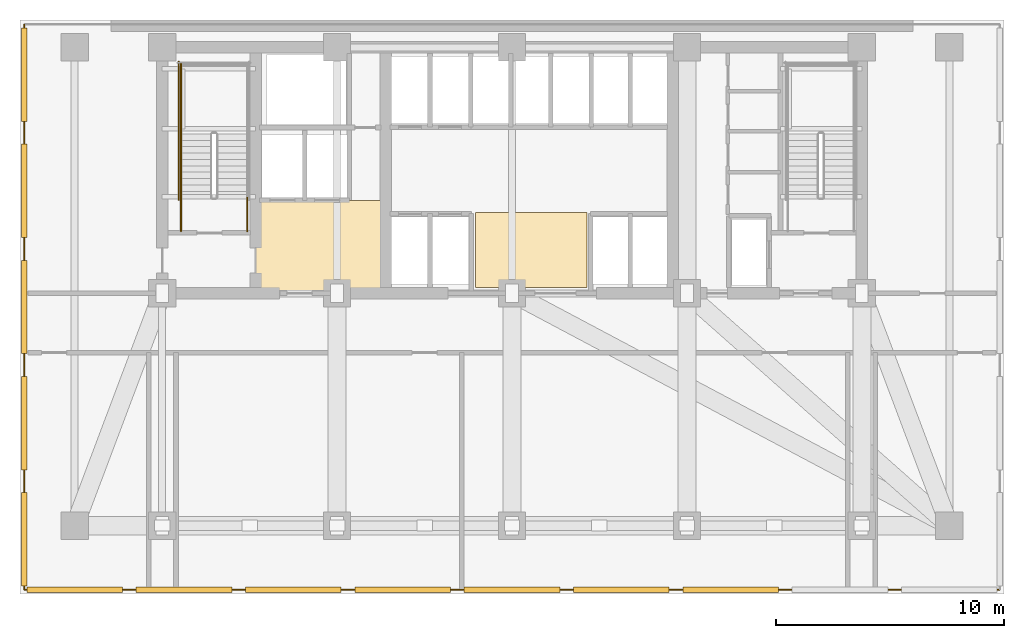
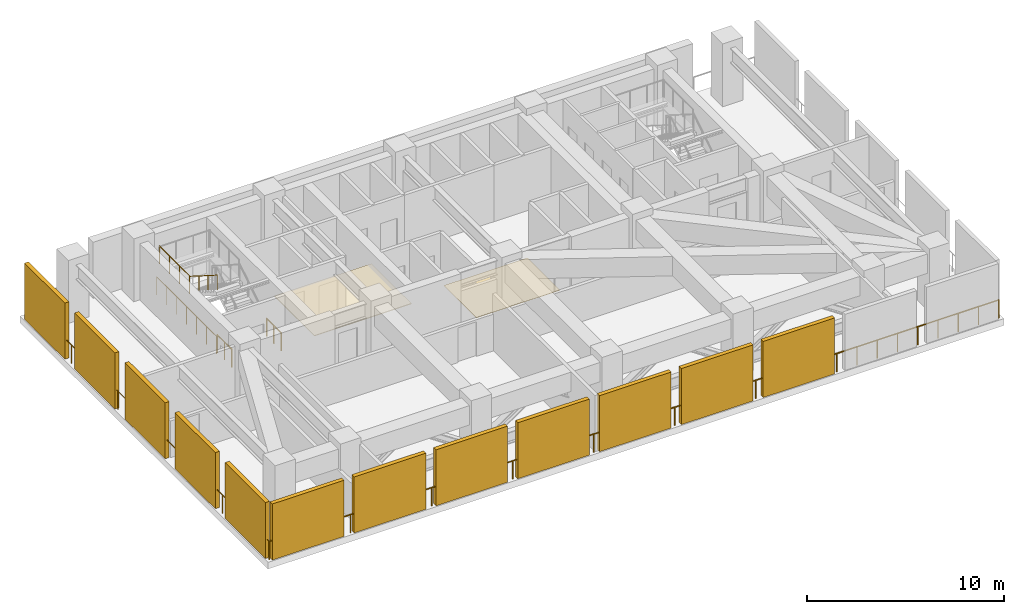
# One storey, part 4 of 7: 12 shading devices, 7 railings, 2 coverings.
"""IFC4 building model written with IfcOpenShell, lengths in metres."""

from ifc_helpers import new_model, si_unit, direction, frame, origin, origin_2d, place, context, subcontext, project, spatial, polyline, rectangle, circle, outline, extrude, material, layer, layer_set, type_object, element, save


model = new_model("IFC4")

# Units and contexts
model_context = context("Model", 3, precision=1e-05, world=origin(), true_north=direction((0.0, 1.0)))
body_context = subcontext(model_context, "Body", "Model", "MODEL_VIEW")
ifc_project = project(units=[si_unit("LENGTHUNIT", "METRE"), si_unit("AREAUNIT", "SQUARE_METRE"), si_unit("VOLUMEUNIT", "CUBIC_METRE"), si_unit("PLANEANGLEUNIT", "RADIAN"), si_unit("MASSUNIT", "GRAM", prefix="KILO")], contexts=[model_context])

# Site, building, storey
site_placement = place(None, origin())
site = spatial("IfcSite", under=ifc_project, at=site_placement, CompositionType="ELEMENT")
building_placement = place(site_placement, origin())
building = spatial("IfcBuilding", under=site, at=building_placement, Name="Yelkora Congress Tower", CompositionType="ELEMENT")
storey_placement = place(building_placement, frame((0.0, 0.0, 85.800048828125)))
storey = spatial("IfcBuildingStorey", under=building, at=storey_placement, Name="L22", CompositionType="ELEMENT", Elevation=85.800048828125)

# Coverings
ifc_material_1 = material(Name="Perforated mineral-fibre acoustic ceiling", Category="gypsum")
ifc_layer_1 = layer(ifc_material_1, 0.0400390625)
ifc_layer_set_1 = layer_set([ifc_layer_1], Name="Perforated mineral-fibre acoustic ceiling")
covering_type_1 = type_object("IfcCoveringType", Name="COV-CEIL-ACOUSTIC-40", PredefinedType="CEILING", material=ifc_layer_set_1)
covering_1_placement = place(storey_placement, frame((0.0, 0.0, 2.39990234375)))
element("IfcCovering", 1, at=covering_1_placement, inside=storey, type_object=covering_type_1, Name="L22 Firefighting Lobby Acoustic Ceiling", PredefinedType="CEILING", context=body_context, shape_type="SweptSolid", body=[
    extrude(outline(polyline([(27.14990234375, 35.39990234375), (32.85009765625, 35.39990234375), (32.85009765625, 39.47998046875), (27.14990234375, 39.47998046875), (27.14990234375, 35.39990234375)])), origin(), (0.0, 0.0, 1.0), 0.0400390625),
])
ifc_material_2 = material(Name="Polished Anatolian grey granite tile", Category="masonry")
ifc_layer_2 = layer(ifc_material_2, 0.02001953125)
ifc_layer_set_2 = layer_set([ifc_layer_2], Name="Polished Anatolian grey granite tile")
covering_type_2 = type_object("IfcCoveringType", Name="COV-FLOOR-GRANITE-20", PredefinedType="FLOORING", material=ifc_layer_set_2)
covering_2_placement = place(storey_placement, origin())
element("IfcCovering", 2, at=covering_2_placement, inside=storey, type_object=covering_type_2, Name="L22 Lift Lobby Granite Flooring", PredefinedType="FLOORING", context=body_context, shape_type="SweptSolid", body=[
    extrude(outline(polyline([(36.800048828125, 35.64990234375), (41.699951171875, 35.64990234375), (41.699951171875, 38.949951171875), (36.800048828125, 38.949951171875), (36.800048828125, 35.64990234375)])), origin(), (0.0, 0.0, 1.0), 0.02001953125),
])

# Railings
ifc_material_3 = material(Name="Stainless steel 316L and laminated glass infill", Category="steel")
ifc_layer_3 = layer(ifc_material_3, 0.080078125)
ifc_layer_set_3 = layer_set([ifc_layer_3], Name="Stainless steel 316L and laminated glass infill")
railing_type_1 = type_object("IfcRailingType", Name="RAIL-EXT-GUARD-1150", PredefinedType="GUARDRAIL", material=ifc_layer_set_3)
railing_1_placement = place(storey_placement, frame((16.97998046875, 22.39990234375, 0.0)))
element("IfcRailing", 3, at=railing_1_placement, inside=storey, type_object=railing_type_1, Name="L22 Wind-Floor Perimeter Guardrail W", PredefinedType="GUARDRAIL", context=body_context, shape_type="SweptSolid", body=[
    extrude(circle(Radius=0.02392578125, at=origin_2d()), frame((0.0, 0.0, 1.1259765625), z_axis=(0.0, 1.0, 0.0), x_axis=(-1.0, 0.0, 0.0)), (0.0, 0.0, 1.0), 24.800048828125),
    extrude(circle(Radius=0.02099609375, at=origin_2d()), origin(), (0.0, 0.0, 1.0), 1.101806640625),
    extrude(circle(Radius=0.02099609375, at=origin_2d()), frame((0.0, 1.180908203125, 0.0)), (0.0, 0.0, 1.0), 1.101806640625),
    extrude(circle(Radius=0.02099609375, at=origin_2d()), frame((0.0, 2.36181640625, 0.0)), (0.0, 0.0, 1.0), 1.101806640625),
    extrude(circle(Radius=0.02099609375, at=origin_2d()), frame((0.0, 3.54296875, 0.0)), (0.0, 0.0, 1.0), 1.101806640625),
    extrude(circle(Radius=0.02099609375, at=origin_2d()), frame((0.0, 4.723876953125, 0.0)), (0.0, 0.0, 1.0), 1.101806640625),
    extrude(circle(Radius=0.02099609375, at=origin_2d()), frame((0.0, 5.90478515625, 0.0)), (0.0, 0.0, 1.0), 1.101806640625),
    extrude(circle(Radius=0.02099609375, at=origin_2d()), frame((0.0, 7.085693359375, 0.0)), (0.0, 0.0, 1.0), 1.101806640625),
    extrude(circle(Radius=0.02099609375, at=origin_2d()), frame((0.0, 8.2666015625, 0.0)), (0.0, 0.0, 1.0), 1.101806640625),
    extrude(circle(Radius=0.02099609375, at=origin_2d()), frame((0.0, 9.44775390625, 0.0)), (0.0, 0.0, 1.0), 1.101806640625),
    extrude(circle(Radius=0.02099609375, at=origin_2d()), frame((0.0, 10.628662109375, 0.0)), (0.0, 0.0, 1.0), 1.101806640625),
    extrude(circle(Radius=0.02099609375, at=origin_2d()), frame((0.0, 11.8095703125, 0.0)), (0.0, 0.0, 1.0), 1.101806640625),
    extrude(circle(Radius=0.02099609375, at=origin_2d()), frame((0.0, 12.990478515625, 0.0)), (0.0, 0.0, 1.0), 1.101806640625),
    extrude(circle(Radius=0.02099609375, at=origin_2d()), frame((0.0, 14.17138671875, 0.0)), (0.0, 0.0, 1.0), 1.101806640625),
    extrude(circle(Radius=0.02099609375, at=origin_2d()), frame((0.0, 15.352294921875, 0.0)), (0.0, 0.0, 1.0), 1.101806640625),
    extrude(circle(Radius=0.02099609375, at=origin_2d()), frame((0.0, 16.533447265625, 0.0)), (0.0, 0.0, 1.0), 1.101806640625),
    extrude(circle(Radius=0.02099609375, at=origin_2d()), frame((0.0, 17.71435546875, 0.0)), (0.0, 0.0, 1.0), 1.101806640625),
    extrude(circle(Radius=0.02099609375, at=origin_2d()), frame((0.0, 18.895263671875, 0.0)), (0.0, 0.0, 1.0), 1.101806640625),
    extrude(circle(Radius=0.02099609375, at=origin_2d()), frame((0.0, 20.076171875, 0.0)), (0.0, 0.0, 1.0), 1.101806640625),
    extrude(circle(Radius=0.02099609375, at=origin_2d()), frame((0.0, 21.257080078125, 0.0)), (0.0, 0.0, 1.0), 1.101806640625),
    extrude(circle(Radius=0.02099609375, at=origin_2d()), frame((0.0, 22.438232421875, 0.0)), (0.0, 0.0, 1.0), 1.101806640625),
    extrude(circle(Radius=0.02099609375, at=origin_2d()), frame((0.0, 23.619140625, 0.0)), (0.0, 0.0, 1.0), 1.101806640625),
    extrude(circle(Radius=0.02099609375, at=origin_2d()), frame((0.0, 24.800048828125, 0.0)), (0.0, 0.0, 1.0), 1.101806640625),
])
railing_2_placement = place(storey_placement, frame((17.0, 22.3798828125, 0.0)))
element("IfcRailing", 4, at=railing_2_placement, inside=storey, type_object=railing_type_1, Name="L22 Wind-Floor South Guardrail", PredefinedType="GUARDRAIL", context=body_context, shape_type="SweptSolid", body=[
    extrude(circle(Radius=0.02392578125, at=origin_2d()), frame((0.0, 0.0, 1.1259765625), z_axis=(1.0, 0.0, 0.0), x_axis=(0.0, 1.0, 0.0)), (0.0, 0.0, 1.0), 42.800048828125),
    extrude(circle(Radius=0.02099609375, at=origin_2d()), origin(), (0.0, 0.0, 1.0), 1.101806640625),
    extrude(circle(Radius=0.02099609375, at=origin_2d()), frame((1.18896484375, 0.0, 0.0)), (0.0, 0.0, 1.0), 1.101806640625),
    extrude(circle(Radius=0.02099609375, at=origin_2d()), frame((2.377685546875, 0.0, 0.0)), (0.0, 0.0, 1.0), 1.101806640625),
    extrude(circle(Radius=0.02099609375, at=origin_2d()), frame((3.566650390625, 0.0, 0.0)), (0.0, 0.0, 1.0), 1.101806640625),
    extrude(circle(Radius=0.02099609375, at=origin_2d()), frame((4.755615234375, 0.0, 0.0)), (0.0, 0.0, 1.0), 1.101806640625),
    extrude(circle(Radius=0.02099609375, at=origin_2d()), frame((5.9443359375, 0.0, 0.0)), (0.0, 0.0, 1.0), 1.101806640625),
    extrude(circle(Radius=0.02099609375, at=origin_2d()), frame((7.13330078125, 0.0, 0.0)), (0.0, 0.0, 1.0), 1.101806640625),
    extrude(circle(Radius=0.02099609375, at=origin_2d()), frame((8.322265625, 0.0, 0.0)), (0.0, 0.0, 1.0), 1.101806640625),
    extrude(circle(Radius=0.02099609375, at=origin_2d()), frame((9.51123046875, 0.0, 0.0)), (0.0, 0.0, 1.0), 1.101806640625),
    extrude(circle(Radius=0.02099609375, at=origin_2d()), frame((10.699951171875, 0.0, 0.0)), (0.0, 0.0, 1.0), 1.101806640625),
    extrude(circle(Radius=0.02099609375, at=origin_2d()), frame((11.888916015625, 0.0, 0.0)), (0.0, 0.0, 1.0), 1.101806640625),
    extrude(circle(Radius=0.02099609375, at=origin_2d()), frame((13.077880859375, 0.0, 0.0)), (0.0, 0.0, 1.0), 1.101806640625),
    extrude(circle(Radius=0.02099609375, at=origin_2d()), frame((14.2666015625, 0.0, 0.0)), (0.0, 0.0, 1.0), 1.101806640625),
    extrude(circle(Radius=0.02099609375, at=origin_2d()), frame((15.45556640625, 0.0, 0.0)), (0.0, 0.0, 1.0), 1.101806640625),
    extrude(circle(Radius=0.02099609375, at=origin_2d()), frame((16.64453125, 0.0, 0.0)), (0.0, 0.0, 1.0), 1.101806640625),
    extrude(circle(Radius=0.02099609375, at=origin_2d()), frame((17.833251953125, 0.0, 0.0)), (0.0, 0.0, 1.0), 1.101806640625),
    extrude(circle(Radius=0.02099609375, at=origin_2d()), frame((19.022216796875, 0.0, 0.0)), (0.0, 0.0, 1.0), 1.101806640625),
    extrude(circle(Radius=0.02099609375, at=origin_2d()), frame((20.211181640625, 0.0, 0.0)), (0.0, 0.0, 1.0), 1.101806640625),
    extrude(circle(Radius=0.02099609375, at=origin_2d()), frame((21.39990234375, 0.0, 0.0)), (0.0, 0.0, 1.0), 1.101806640625),
    extrude(circle(Radius=0.02099609375, at=origin_2d()), frame((22.5888671875, 0.0, 0.0)), (0.0, 0.0, 1.0), 1.101806640625),
    extrude(circle(Radius=0.02099609375, at=origin_2d()), frame((23.77783203125, 0.0, 0.0)), (0.0, 0.0, 1.0), 1.101806640625),
    extrude(circle(Radius=0.02099609375, at=origin_2d()), frame((24.966796875, 0.0, 0.0)), (0.0, 0.0, 1.0), 1.101806640625),
    extrude(circle(Radius=0.02099609375, at=origin_2d()), frame((26.155517578125, 0.0, 0.0)), (0.0, 0.0, 1.0), 1.101806640625),
    extrude(circle(Radius=0.02099609375, at=origin_2d()), frame((27.344482421875, 0.0, 0.0)), (0.0, 0.0, 1.0), 1.101806640625),
    extrude(circle(Radius=0.02099609375, at=origin_2d()), frame((28.533447265625, 0.0, 0.0)), (0.0, 0.0, 1.0), 1.101806640625),
    extrude(circle(Radius=0.02099609375, at=origin_2d()), frame((29.72216796875, 0.0, 0.0)), (0.0, 0.0, 1.0), 1.101806640625),
    extrude(circle(Radius=0.02099609375, at=origin_2d()), frame((30.9111328125, 0.0, 0.0)), (0.0, 0.0, 1.0), 1.101806640625),
    extrude(circle(Radius=0.02099609375, at=origin_2d()), frame((32.10009765625, 0.0, 0.0)), (0.0, 0.0, 1.0), 1.101806640625),
    extrude(circle(Radius=0.02099609375, at=origin_2d()), frame((33.288818359375, 0.0, 0.0)), (0.0, 0.0, 1.0), 1.101806640625),
    extrude(circle(Radius=0.02099609375, at=origin_2d()), frame((34.477783203125, 0.0, 0.0)), (0.0, 0.0, 1.0), 1.101806640625),
    extrude(circle(Radius=0.02099609375, at=origin_2d()), frame((35.666748046875, 0.0, 0.0)), (0.0, 0.0, 1.0), 1.101806640625),
    extrude(circle(Radius=0.02099609375, at=origin_2d()), frame((36.855712890625, 0.0, 0.0)), (0.0, 0.0, 1.0), 1.101806640625),
    extrude(circle(Radius=0.02099609375, at=origin_2d()), frame((38.04443359375, 0.0, 0.0)), (0.0, 0.0, 1.0), 1.101806640625),
    extrude(circle(Radius=0.02099609375, at=origin_2d()), frame((39.2333984375, 0.0, 0.0)), (0.0, 0.0, 1.0), 1.101806640625),
    extrude(circle(Radius=0.02099609375, at=origin_2d()), frame((40.42236328125, 0.0, 0.0)), (0.0, 0.0, 1.0), 1.101806640625),
    extrude(circle(Radius=0.02099609375, at=origin_2d()), frame((41.611083984375, 0.0, 0.0)), (0.0, 0.0, 1.0), 1.101806640625),
    extrude(circle(Radius=0.02099609375, at=origin_2d()), frame((42.800048828125, 0.0, 0.0)), (0.0, 0.0, 1.0), 1.101806640625),
])
ifc_material_4 = material(Name="Painted galvanised steel stair well guard with vertical infill", Category="steel")
ifc_layer_4 = layer(ifc_material_4, 0.06005859375)
ifc_layer_set_4 = layer_set([ifc_layer_4], Name="Painted galvanised steel stair well guard with vertical infill")
railing_type_2 = type_object("IfcRailingType", Name="RAIL-STAIR-GUARD-1120", PredefinedType="GUARDRAIL", material=ifc_layer_set_4)
railing_3_placement = place(storey_placement, frame((23.8701171875, 42.39990234375, 1.949951171875)))
element("IfcRailing", 5, at=railing_3_placement, inside=storey, type_object=railing_type_2, Name="ST-01 L22 Stair Well Guardrail 4", PredefinedType="GUARDRAIL", context=body_context, shape_type="SweptSolid", body=[
    extrude(circle(Radius=0.02392578125, at=origin_2d()), frame((0.0, 0.0, 1.09619140625), z_axis=(0.0, 1.0, 0.0), x_axis=(-1.0, 0.0, 0.0)), (0.0, 0.0, 1.0), 3.070068359375),
    extrude(circle(Radius=0.02099609375, at=origin_2d()), origin(), (0.0, 0.0, 1.0), 1.072021484375),
    extrude(circle(Radius=0.02099609375, at=origin_2d()), frame((0.0, 1.0234375, 0.0)), (0.0, 0.0, 1.0), 1.072021484375),
    extrude(circle(Radius=0.02099609375, at=origin_2d()), frame((0.0, 2.046630859375, 0.0)), (0.0, 0.0, 1.0), 1.072021484375),
    extrude(circle(Radius=0.02099609375, at=origin_2d()), frame((0.0, 3.070068359375, 0.0)), (0.0, 0.0, 1.0), 1.072021484375),
])
for number, where, name in (
    (6, (26.77001953125, 38.1201171875, 0.0), "ST-01 L22 Stair Well Guardrail 8"),
    (7, (23.8701171875, 38.1201171875, 0.0), "ST-01 L22 Stair Well Guardrail 9"),
):
    element("IfcRailing", number, at=place(storey_placement, frame(where)), inside=storey, type_object=railing_type_2, Name=name, PredefinedType="GUARDRAIL", context=body_context, shape_type="SweptSolid", body=[
        extrude(circle(Radius=0.02392578125, at=origin_2d()), frame((0.0, 0.0, 1.09619140625), z_axis=(0.0, 1.0, 0.0), x_axis=(-1.0, 0.0, 0.0)), (0.0, 0.0, 1.0), 1.47998046875),
        extrude(circle(Radius=0.02099609375, at=origin_2d()), origin(), (0.0, 0.0, 1.0), 1.072021484375),
        extrude(circle(Radius=0.02099609375, at=origin_2d()), frame((0.0, 0.739990234375, 0.0)), (0.0, 0.0, 1.0), 1.072021484375),
        extrude(circle(Radius=0.02099609375, at=origin_2d()), frame((0.0, 1.47998046875, 0.0)), (0.0, 0.0, 1.0), 1.072021484375),
    ])
railing_4_placement = place(storey_placement, frame((23.77001953125, 39.5, 0.0)))
element("IfcRailing", 8, at=railing_4_placement, inside=storey, type_object=railing_type_2, Name="ST-01 L22 Stair Well Guardrail 11", PredefinedType="GUARDRAIL", context=body_context, shape_type="SweptSolid", body=[
    extrude(circle(Radius=0.02392578125, at=origin_2d()), frame((0.0, 0.0, 1.09619140625), z_axis=(0.0, 1.0, 0.0), x_axis=(-1.0, 0.0, 0.0)), (0.0, 0.0, 1.0), 6.070068359375),
    extrude(circle(Radius=0.02099609375, at=origin_2d()), origin(), (0.0, 0.0, 1.0), 1.072021484375),
    extrude(circle(Radius=0.02099609375, at=origin_2d()), frame((0.0, 1.01171875, 0.0)), (0.0, 0.0, 1.0), 1.072021484375),
    extrude(circle(Radius=0.02099609375, at=origin_2d()), frame((0.0, 2.0234375, 0.0)), (0.0, 0.0, 1.0), 1.072021484375),
    extrude(circle(Radius=0.02099609375, at=origin_2d()), frame((0.0, 3.03515625, 0.0)), (0.0, 0.0, 1.0), 1.072021484375),
    extrude(circle(Radius=0.02099609375, at=origin_2d()), frame((0.0, 4.046630859375, 0.0)), (0.0, 0.0, 1.0), 1.072021484375),
    extrude(circle(Radius=0.02099609375, at=origin_2d()), frame((0.0, 5.058349609375, 0.0)), (0.0, 0.0, 1.0), 1.072021484375),
    extrude(circle(Radius=0.02099609375, at=origin_2d()), frame((0.0, 6.070068359375, 0.0)), (0.0, 0.0, 1.0), 1.072021484375),
])
ifc_material_5 = material(Name="Brushed stainless steel tubular handrail", Category="steel")
ifc_layer_5 = layer(ifc_material_5, 0.050048828125)
ifc_layer_set_5 = layer_set([ifc_layer_5], Name="Brushed stainless steel tubular handrail")
railing_type_3 = type_object("IfcRailingType", Name="RAIL-STAIR-HAND-920", PredefinedType="HANDRAIL", material=ifc_layer_set_5)
railing_5_placement = place(storey_placement, frame((23.8701171875, 42.39990234375, 2.127197265625)))
element("IfcRailing", 9, at=railing_5_placement, inside=storey, type_object=railing_type_3, Name="ST-01 L22 Pitch Handrail 2", PredefinedType="HANDRAIL", context=body_context, shape_type="SweptSolid", body=[
    extrude(circle(Radius=0.02392578125, at=origin_2d()), frame((0.0, 0.0, 0.89599609375), z_axis=(0.0, -0.844887892834, 0.53494340686), x_axis=(1.0, 0.0, 0.0)), (0.0, 0.0, 1.0), 3.313720703125),
    extrude(circle(Radius=0.02099609375, at=origin_2d()), origin(), (0.0, 0.0, 1.0), 0.871826171875),
    extrude(circle(Radius=0.02099609375, at=origin_2d()), frame((0.0, -0.933349609375, 0.5908203125)), (0.0, 0.0, 1.0), 0.871826171875),
    extrude(circle(Radius=0.02099609375, at=origin_2d()), frame((0.0, -1.866455078125, 1.181884765625)), (0.0, 0.0, 1.0), 0.871826171875),
    extrude(circle(Radius=0.02099609375, at=origin_2d()), frame((0.0, -2.7998046875, 1.772705078125)), (0.0, 0.0, 1.0), 0.871826171875),
])

# Shading devices
ifc_material_6 = material(Name="Perforated anodised aluminium louvre", Category="aluminium")
ifc_layer_6 = layer(ifc_material_6, 3.39990234375)
ifc_layer_set_6 = layer_set([ifc_layer_6], Name="Perforated anodised aluminium louvre")
shading_device_type = type_object("IfcShadingDeviceType", Name="SHD-LOUVRE-WIND", PredefinedType="JALOUSIE", material=ifc_layer_set_6)
for number, where, z_axis, x_axis, name in (
    (10, (16.97998046875, 24.60009765625, 0.0), (0.0, 0.0, 1.0), (1.0, 0.0, 0.0), "L22 Acoustic Wind-Floor Louvre Screen W1"),
    (11, (16.97998046875, 29.699951171875, 0.0), (0.0, 0.0, 1.0), (1.0, 0.0, 0.0), "L22 Acoustic Wind-Floor Louvre Screen W2"),
    (12, (16.97998046875, 34.800048828125, 0.0), (0.0, 0.0, 1.0), (1.0, 0.0, 0.0), "L22 Acoustic Wind-Floor Louvre Screen W3"),
    (13, (16.97998046875, 39.89990234375, 0.0), (0.0, 0.0, 1.0), (1.0, 0.0, 0.0), "L22 Acoustic Wind-Floor Louvre Screen W4"),
    (14, (16.97998046875, 45.0, 0.0), (0.0, 0.0, 1.0), (1.0, 0.0, 0.0), "L22 Acoustic Wind-Floor Louvre Screen W5"),
):
    element("IfcShadingDevice", number, at=place(storey_placement, frame(where, z_axis=z_axis, x_axis=x_axis)), inside=storey, type_object=shading_device_type, Name=name, PredefinedType="JALOUSIE", context=body_context, shape_type="SweptSolid", body=[
        extrude(rectangle(XDim=0.239990234375, YDim=4.10009765625, at=origin_2d()), origin(), (0.0, 0.0, 1.0), 3.47998046875),
    ])
for number, where, z_axis, x_axis, name in (
    (15, (19.199951171875, 22.3798828125, 0.0), (0.0, 0.0, 1.0), (1.0, 0.0, 0.0), "L22 South Blow-Through Wind Louvre 1"),
    (16, (24.0, 22.3798828125, 0.0), (0.0, 0.0, 1.0), (1.0, 0.0, 0.0), "L22 South Blow-Through Wind Louvre 2"),
    (17, (28.800048828125, 22.3798828125, 0.0), (0.0, 0.0, 1.0), (1.0, 0.0, 0.0), "L22 South Blow-Through Wind Louvre 3"),
    (18, (33.60009765625, 22.3798828125, 0.0), (0.0, 0.0, 1.0), (1.0, 0.0, 0.0), "L22 South Blow-Through Wind Louvre 4"),
    (19, (38.39990234375, 22.3798828125, 0.0), (0.0, 0.0, 1.0), (1.0, 0.0, 0.0), "L22 South Blow-Through Wind Louvre 5"),
    (20, (43.199951171875, 22.3798828125, 0.0), (0.0, 0.0, 1.0), (1.0, 0.0, 0.0), "L22 South Blow-Through Wind Louvre 6"),
    (21, (48.0, 22.3798828125, 0.0), (0.0, 0.0, 1.0), (1.0, 0.0, 0.0), "L22 South Blow-Through Wind Louvre 7"),
):
    element("IfcShadingDevice", number, at=place(storey_placement, frame(where, z_axis=z_axis, x_axis=x_axis)), inside=storey, type_object=shading_device_type, Name=name, PredefinedType="JALOUSIE", context=body_context, shape_type="SweptSolid", body=[
        extrude(rectangle(XDim=4.199951171875, YDim=0.239990234375, at=origin_2d()), origin(), (0.0, 0.0, 1.0), 3.47998046875),
    ])

save(model, "model.ifc")
